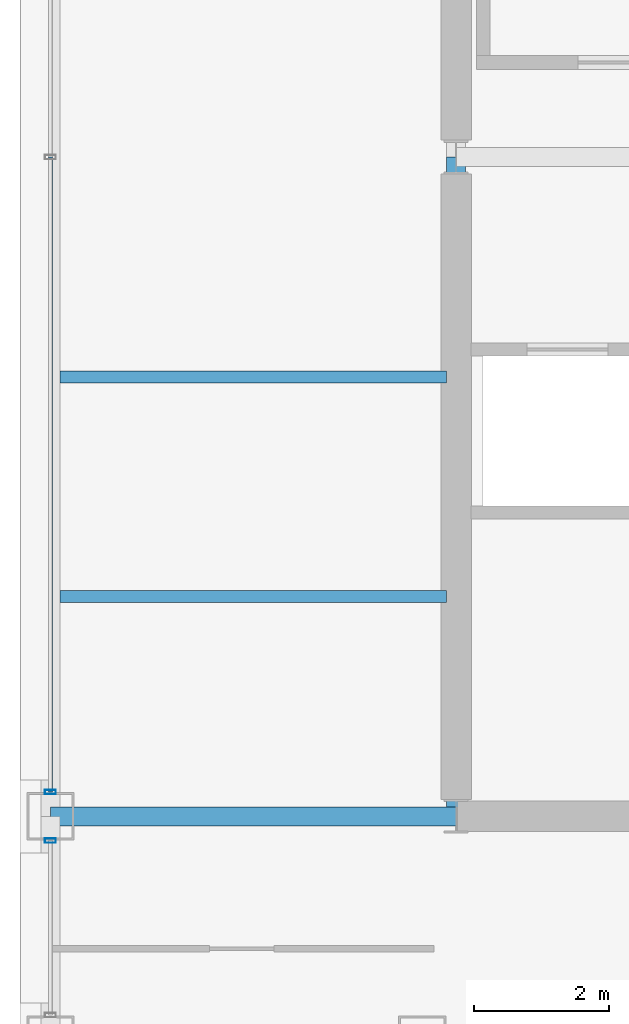
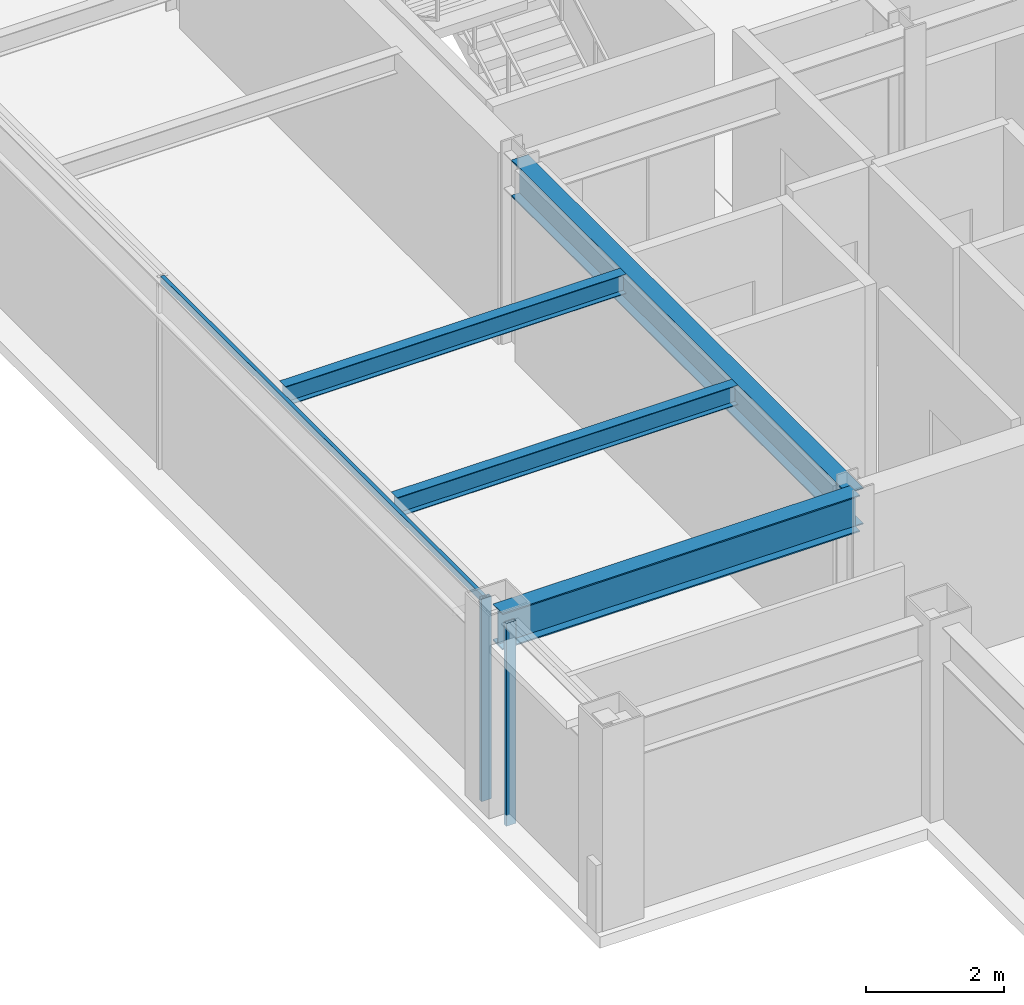
# One storey, part 4 of 29: 4 beams, 3 members, 2 elements without a shape of their own.
"""IFC4 building model written with IfcOpenShell, lengths in metres."""

import ifcopenshell
import ifcopenshell.guid

model = None  # the IFC model being written
_history = None  # IfcOwnerHistory: only IFC2X3 demands one
_inside = {}  # id of a spatial element -> (the spatial element, [elements in it])
_under = {}  # id of a project, library or spatial element -> (it, [spatial elements below it])
_declared = {}  # id of a project -> (the project, [libraries it declares])
_typed = {}  # id of a type object -> (the type object, [elements of that type])
_made_of = {}  # id of a material, layer set ... -> (it, [elements and type objects made of it])


def new_model(schema):
    """Start an empty IFC model of exactly this schema.

    Asked for "IFC4X3", IfcOpenShell would pick the latest addendum, in which some entities
    have other attributes; the version numbers below select the first issue.
    IFC2X3 requires an IfcOwnerHistory on every rooted entity: one is made here for all.
    """
    global model, _history
    if schema == "IFC4X3":
        model = ifcopenshell.file(schema_version=(4, 3, 0, 0))
    else:
        model = ifcopenshell.file(schema=schema)
    _inside.clear()
    _under.clear()
    _declared.clear()
    _typed.clear()
    _made_of.clear()
    _history = None
    if model.schema == "IFC2X3":
        org = make("IfcOrganization", Name="unknown")
        user = make(
            "IfcPersonAndOrganization",
            ThePerson=make("IfcPerson", FamilyName="unknown"),
            TheOrganization=org,
        )
        app = make(
            "IfcApplication",
            ApplicationDeveloper=org,
            Version="unknown",
            ApplicationFullName="unknown",
            ApplicationIdentifier="unknown",
        )
        _history = make(
            "IfcOwnerHistory",
            OwningUser=user,
            OwningApplication=app,
            ChangeAction="ADDED",
            CreationDate=0,
        )
    return model


def make(cls, **values):
    """One entity of the class cls with the attributes given. An attribute that is None is left unset."""
    return model.create_entity(
        cls, **{name: value for name, value in values.items() if value is not None}
    )


def rooted(cls, **values):
    """An entity with a GlobalId (a new one), such as an element, a storey or a relation."""
    return make(cls, GlobalId=ifcopenshell.guid.new(), OwnerHistory=_history, **values)


def si_unit(unit_type, name, prefix=None):
    """IfcSIUnit, for example si_unit("LENGTHUNIT", "METRE", prefix="MILLI")."""
    return make("IfcSIUnit", UnitType=unit_type, Prefix=prefix, Name=name)


def assignment(units):
    """IfcUnitAssignment: the units of a project."""
    return None if units is None else make("IfcUnitAssignment", Units=units)


def point(xyz):
    """IfcCartesianPoint."""
    return None if xyz is None else make("IfcCartesianPoint", Coordinates=xyz)


def direction(xyz):
    """IfcDirection."""
    return None if xyz is None else make("IfcDirection", DirectionRatios=xyz)


def frame(location, z_axis=None, x_axis=None):
    """IfcAxis2Placement3D, a coordinate frame: its origin and axes. An axis left out is left unset."""
    return make(
        "IfcAxis2Placement3D",
        Location=point(location),
        Axis=direction(z_axis),
        RefDirection=direction(x_axis),
    )


def frame_2d(location, x_axis=None):
    """IfcAxis2Placement2D, a coordinate frame in the plane: its origin and x axis."""
    return make(
        "IfcAxis2Placement2D", Location=point(location), RefDirection=direction(x_axis)
    )


def origin():
    """The frame at (0, 0, 0) with its axes left unset."""
    return frame((0.0, 0.0, 0.0))


def origin_2d():
    """The frame at (0, 0) in the plane with its x axis left unset."""
    return frame_2d((0.0, 0.0))


def place(relative_to, where):
    """IfcLocalPlacement: puts the frame where relative to a parent placement (None: the world)."""
    return make(
        "IfcLocalPlacement", PlacementRelTo=relative_to, RelativePlacement=where
    )


def context(
    kind, dimensions, precision=None, world=None, true_north=None, identifier=None
):
    """IfcGeometricRepresentationContext, for example the 3D "Model" context."""
    return make(
        "IfcGeometricRepresentationContext",
        ContextIdentifier=identifier,
        ContextType=kind,
        CoordinateSpaceDimension=dimensions,
        Precision=precision,
        WorldCoordinateSystem=world,
        TrueNorth=true_north,
    )


def subcontext(parent, identifier, kind, view, scale=None):
    """IfcGeometricRepresentationSubContext, for example "Body" below "Model"."""
    return make(
        "IfcGeometricRepresentationSubContext",
        ContextIdentifier=identifier,
        ContextType=kind,
        ParentContext=parent,
        TargetScale=scale,
        TargetView=view,
    )


def project(units=None, contexts=None):
    """IfcProject with its units and contexts."""
    return rooted(
        "IfcProject",
        Name="project",
        RepresentationContexts=contexts,
        UnitsInContext=assignment(units),
    )


def spatial(cls, under=None, at=None, **own):
    """A site, building, storey or space (cls), placed at a placement, below another one or the project."""
    s = rooted(cls, ObjectPlacement=at, **own)
    if under is not None:
        _under.setdefault(under.id(), (under, []))[1].append(s)
    return s


def profile(cls, at=None, kind="AREA", **sizes):
    """A parametric profile (cls). Its sizes go by their IFC names, for example OverallWidth=200.0."""
    return make(cls, ProfileType=kind, Position=at, **sizes)


def hollow_rectangle(**sizes):
    """IfcRectangleHollowProfileDef."""
    return profile("IfcRectangleHollowProfileDef", **sizes)


def i_section(**sizes):
    """IfcIShapeProfileDef."""
    return profile("IfcIShapeProfileDef", **sizes)


def extrude(swept, where, along, depth):
    """IfcExtrudedAreaSolid: the profile swept, set in the frame where, extruded along a direction by depth."""
    return make(
        "IfcExtrudedAreaSolid",
        SweptArea=swept,
        Position=where,
        ExtrudedDirection=direction(along),
        Depth=depth,
    )


def shape(context_of_items, identifier, shape_type, items):
    """IfcShapeRepresentation: the items that make up one representation, for example the "Body"."""
    return make(
        "IfcShapeRepresentation",
        ContextOfItems=context_of_items,
        RepresentationIdentifier=identifier,
        RepresentationType=shape_type,
        Items=items,
    )


def material(Name=None, Category=None):
    """IfcMaterial."""
    return make("IfcMaterial", Name=Name, Category=Category)


def layer(
    of_material, thickness, ventilated=None, Name=None, Category=None, Priority=None
):
    """IfcMaterialLayer: one layer of a wall or slab, of a material (None: an air gap)."""
    return make(
        "IfcMaterialLayer",
        Material=of_material,
        LayerThickness=thickness,
        IsVentilated=ventilated,
        Name=Name,
        Category=Category,
        Priority=Priority,
    )


def layer_set(layers, Name=None):
    """IfcMaterialLayerSet."""
    return make("IfcMaterialLayerSet", MaterialLayers=layers, LayerSetName=Name)


def material_profile(
    of_material, cross_section, Name=None, Category=None, Priority=None
):
    """IfcMaterialProfile: a cross section and its material."""
    return make(
        "IfcMaterialProfile",
        Name=Name,
        Material=of_material,
        Profile=cross_section,
        Priority=Priority,
        Category=Category,
    )


def profile_set(profiles, Name=None, composite=None):
    """IfcMaterialProfileSet."""
    return make(
        "IfcMaterialProfileSet",
        Name=Name,
        MaterialProfiles=profiles,
        CompositeProfile=composite,
    )


def made_of(thing, what):
    """Note that an element or type object is made of a material, layer set ...; save() writes the relation."""
    if what is not None:
        _made_of.setdefault(what.id(), (what, []))[1].append(thing)
    return thing


def type_object(cls, material=None, **own):
    """A type object (cls), such as IfcWallType, which elements share."""
    return made_of(rooted(cls, **own), material)


def element(
    cls,
    number,
    at=None,
    inside=None,
    cuts=None,
    type_object=None,
    material=None,
    context=None,
    identifier="Body",
    shape_type=None,
    held_by="IfcProductDefinitionShape",
    body=None,
    shapes=None,
    **own,
):
    """One element of the class cls, such as IfcWall. Its Tag is "e" and its number.

    at: its placement. inside: the storey or other place that contains it. cuts: it is an
    opening in that element (IfcRelVoidsElement). A single representation is given by context,
    identifier, shape_type and body (its items); several are given by shapes. held_by: the class
    of the entity that holds the representations. save() writes the other relations.
    """
    e = rooted(cls, Tag="e%d" % number, ObjectPlacement=at, **own)
    if body is not None:
        shapes = [shape(context, identifier, shape_type, body)]
    if shapes is not None:
        e.Representation = make(held_by, Representations=shapes)
    if inside is not None:
        _inside.setdefault(inside.id(), (inside, []))[1].append(e)
    if cuts is not None:
        rooted(
            "IfcRelVoidsElement", RelatingBuildingElement=cuts, RelatedOpeningElement=e
        )
    if type_object is not None:
        _typed.setdefault(type_object.id(), (type_object, []))[1].append(e)
    return made_of(e, material)


def aggregate(whole, parts):
    """IfcRelAggregates: a whole, such as a stair, and the parts it consists of."""
    return rooted("IfcRelAggregates", RelatingObject=whole, RelatedObjects=parts)


def save(model, path):
    """Write the relations noted so far, then the file.

    IfcRelAggregates (storeys below a building ...), IfcRelContainedInSpatialStructure (elements
    in a storey), IfcRelDefinesByType, IfcRelAssociatesMaterial and IfcRelDeclares: one each for
    every whole, place, type object, material and project.
    """
    for whole, parts in _under.values():
        aggregate(whole, parts)
    for where, things in _inside.values():
        rooted(
            "IfcRelContainedInSpatialStructure",
            RelatedElements=things,
            RelatingStructure=where,
        )
    for kind, things in _typed.values():
        rooted("IfcRelDefinesByType", RelatedObjects=things, RelatingType=kind)
    for what, things in _made_of.values():
        rooted("IfcRelAssociatesMaterial", RelatedObjects=things, RelatingMaterial=what)
    for by, libraries in _declared.values():
        rooted("IfcRelDeclares", RelatingContext=by, RelatedDefinitions=libraries)
    model.write(path)


model = new_model("IFC4")

# Units and contexts
model_context = context("Model", 3, precision=1e-05, world=origin(), true_north=direction((0.0, 1.0)))
body_context = subcontext(model_context, "Body", "Model", "MODEL_VIEW")
ifc_project = project(units=[si_unit("LENGTHUNIT", "METRE"), si_unit("AREAUNIT", "SQUARE_METRE"), si_unit("VOLUMEUNIT", "CUBIC_METRE"), si_unit("PLANEANGLEUNIT", "RADIAN"), si_unit("MASSUNIT", "GRAM", prefix="KILO")], contexts=[model_context])

# Site, building, storey
site_placement = place(None, origin())
site = spatial("IfcSite", under=ifc_project, at=site_placement, CompositionType="ELEMENT")
building_placement = place(site_placement, origin())
building = spatial("IfcBuilding", under=site, at=building_placement, Name="Brelmoor Portico Tower", CompositionType="ELEMENT")
storey_placement = place(building_placement, frame((0.0, 0.0, 201.89990234375)))
storey = spatial("IfcBuildingStorey", under=building, at=storey_placement, Name="L53", CompositionType="ELEMENT", Elevation=201.89990234375)

# Beams
ifc_material_1 = material(Name="Steel Q355B", Category="steel")
ifc_material_profile_1 = material_profile(ifc_material_1, i_section(OverallWidth=0.175048828125, OverallDepth=0.35009765625, WebThickness=0.007080078125, FlangeThickness=0.010986328125, at=origin_2d()), Name="HN 350x175x7x11")
ifc_profile_set_1 = profile_set([ifc_material_profile_1], Name="Steel Q355B")
beam_type_1 = type_object("IfcBeamType", Name="BM-JS-350", PredefinedType="JOIST", material=ifc_profile_set_1)
for number, where, z_axis, x_axis, name in (
    (1, (-20.409912109375, -6.5, 3.22509765625), (1.0, 0.0, 0.0), (0.0, 1.0, 0.0), "L53 Secondary Wing Joist JS-W05"),
    (2, (-20.409912109375, -3.25, 3.22509765625), (1.0, 0.0, 0.0), (0.0, 1.0, 0.0), "L53 Secondary Wing Joist JS-W06"),
):
    element("IfcBeam", number, at=place(storey_placement, frame(where, z_axis=z_axis, x_axis=x_axis)), inside=storey, type_object=beam_type_1, Name=name, PredefinedType="JOIST", context=body_context, shape_type="SweptSolid", body=[
        extrude(i_section(OverallWidth=0.175048828125, OverallDepth=0.35009765625, WebThickness=0.007080078125, FlangeThickness=0.010986328125, at=origin_2d()), origin(), (0.0, 0.0, 1.0), 5.719970703125),
    ])
ifc_material_profile_2 = material_profile(ifc_material_1, i_section(OverallWidth=0.280029296875, OverallDepth=0.64990234375, WebThickness=0.012939453125, FlangeThickness=0.02197265625, at=origin_2d()), Name="HN 650x280x13x22")
ifc_profile_set_2 = profile_set([ifc_material_profile_2], Name="Steel Q355B")
beam_type_2 = type_object("IfcBeamType", Name="BM-PG-650", PredefinedType="BEAM", material=ifc_profile_set_2)
beam_1_placement = place(storey_placement, frame((-14.550048828125, -9.75, 3.0751953125), z_axis=(0.0, 1.0, 0.0), x_axis=(-1.0, 0.0, 0.0)))
element("IfcBeam", 3, at=beam_1_placement, inside=storey, type_object=beam_type_2, Name="L53 Primary Floor Girder PG-01", PredefinedType="BEAM", context=body_context, shape_type="SweptSolid", body=[
    extrude(i_section(OverallWidth=0.280029296875, OverallDepth=0.64990234375, WebThickness=0.012939453125, FlangeThickness=0.02197265625, at=origin_2d()), origin(), (0.0, 0.0, 1.0), 9.75),
])
beam_2_placement = place(storey_placement, frame((-20.550048828125, -9.75, 3.0751953125), z_axis=(1.0, 0.0, 0.0), x_axis=(0.0, 1.0, 0.0)))
element("IfcBeam", 4, at=beam_2_placement, inside=storey, type_object=beam_type_2, Name="L53 Primary Floor Girder PG-11", PredefinedType="BEAM", context=body_context, shape_type="SweptSolid", body=[
    extrude(i_section(OverallWidth=0.280029296875, OverallDepth=0.64990234375, WebThickness=0.012939453125, FlangeThickness=0.02197265625, at=origin_2d()), origin(), (0.0, 0.0, 1.0), 6.0),
])

# Curtain wall, member
ifc_material_2 = material(Name="Anodised Aluminium Alloy 6063-T6", Category="aluminium")
ifc_layer = layer(ifc_material_2, 0.179931640625)
ifc_layer_set = layer_set([ifc_layer], Name="Anodised Aluminium Alloy 6063-T6")
curtain_wall_type = type_object("IfcCurtainWallType", Name="CW-TOWER-Z3-XB", PredefinedType="NOTDEFINED", material=ifc_layer_set)
curtain_wall_1_placement = place(storey_placement, origin())
curtain_wall_1 = element("IfcCurtainWall", 5, at=curtain_wall_1_placement, inside=storey, type_object=curtain_wall_type, Name="L53 Curtain Wall CW-L53-03-1", PredefinedType="NOTDEFINED")
ifc_material_profile_3 = material_profile(ifc_material_2, hollow_rectangle(XDim=0.06494140625, YDim=0.1650390625, WallThickness=0.00390625, at=origin_2d()), Name="ALU MULLION 65x165")
ifc_profile_set_3 = profile_set([ifc_material_profile_3], Name="Anodised Aluminium Alloy 6063-T6")
member_type_1 = type_object("IfcMemberType", Name="MB-CW-MULL-165", PredefinedType="MULLION", material=ifc_profile_set_3)
member_1_placement = place(storey_placement, frame((-20.550048828125, -10.110107421875, -0.199951171875), z_axis=(0.0, 0.0, 1.0), x_axis=(0.0, 1.0, 0.0)))
member_1 = element("IfcMember", 6, at=member_1_placement, type_object=member_type_1, Name="CW-L53-03-1 Mullion 01", PredefinedType="MULLION", context=body_context, shape_type="SweptSolid", body=[
    extrude(hollow_rectangle(XDim=0.06494140625, YDim=0.1650390625, WallThickness=0.00390625, at=origin_2d()), origin(), (0.0, 0.0, 1.0), 3.60009765625),
])
aggregate(curtain_wall_1, [member_1])

# Curtain wall, members
curtain_wall_2_placement = place(storey_placement, origin())
curtain_wall_2 = element("IfcCurtainWall", 7, at=curtain_wall_2_placement, inside=storey, type_object=curtain_wall_type, Name="L53 Curtain Wall CW-L53-03-2", PredefinedType="NOTDEFINED")
member_2_placement = place(storey_placement, frame((-20.550048828125, -9.389892578125, -0.199951171875), z_axis=(0.0, 0.0, 1.0), x_axis=(0.0, 1.0, 0.0)))
member_2 = element("IfcMember", 8, at=member_2_placement, type_object=member_type_1, Name="CW-L53-03-2 Mullion 00", PredefinedType="MULLION", context=body_context, shape_type="SweptSolid", body=[
    extrude(hollow_rectangle(XDim=0.06494140625, YDim=0.1650390625, WallThickness=0.00390625, at=origin_2d()), origin(), (0.0, 0.0, 1.0), 3.60009765625),
])
ifc_material_profile_4 = material_profile(ifc_material_2, hollow_rectangle(XDim=0.06005859375, YDim=0.125, WallThickness=0.00341796875, at=origin_2d()), Name="ALU TRANSOM 60x125")
ifc_profile_set_4 = profile_set([ifc_material_profile_4], Name="Anodised Aluminium Alloy 6063-T6")
member_type_2 = type_object("IfcMemberType", Name="MB-CW-TRAN-125", PredefinedType="USERDEFINED", material=ifc_profile_set_4)
member_3_placement = place(storey_placement, frame((-20.550048828125, -9.389892578125, 3.337646484375), z_axis=(0.0, 1.0, 0.0), x_axis=(-1.0, 0.0, 0.0)))
member_3 = element("IfcMember", 9, at=member_3_placement, type_object=member_type_2, Name="CW-L53-03-2 Transom 1-00", ObjectType="TRANSOM", PredefinedType="USERDEFINED", context=body_context, shape_type="SweptSolid", body=[
    extrude(hollow_rectangle(XDim=0.06005859375, YDim=0.125, WallThickness=0.00341796875, at=origin_2d()), origin(), (0.0, 0.0, 1.0), 9.389892578125),
])
aggregate(curtain_wall_2, [member_2, member_3])

save(model, "model.ifc")
